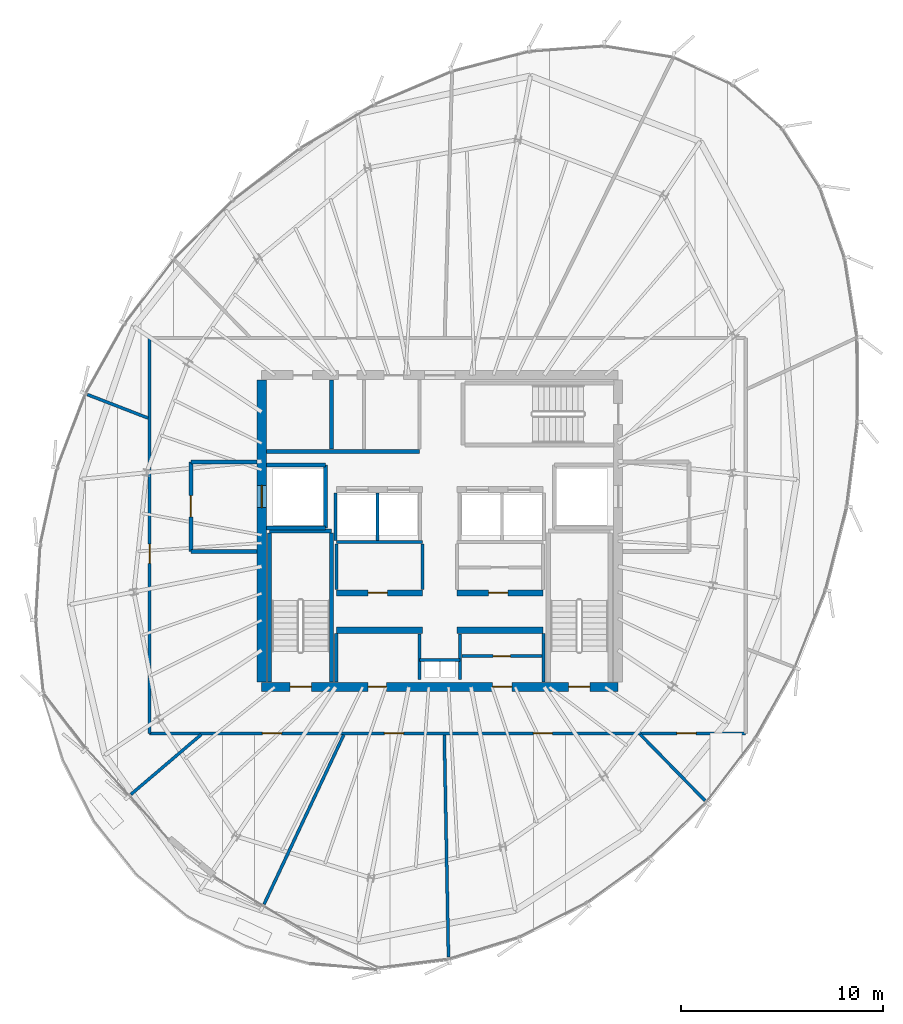
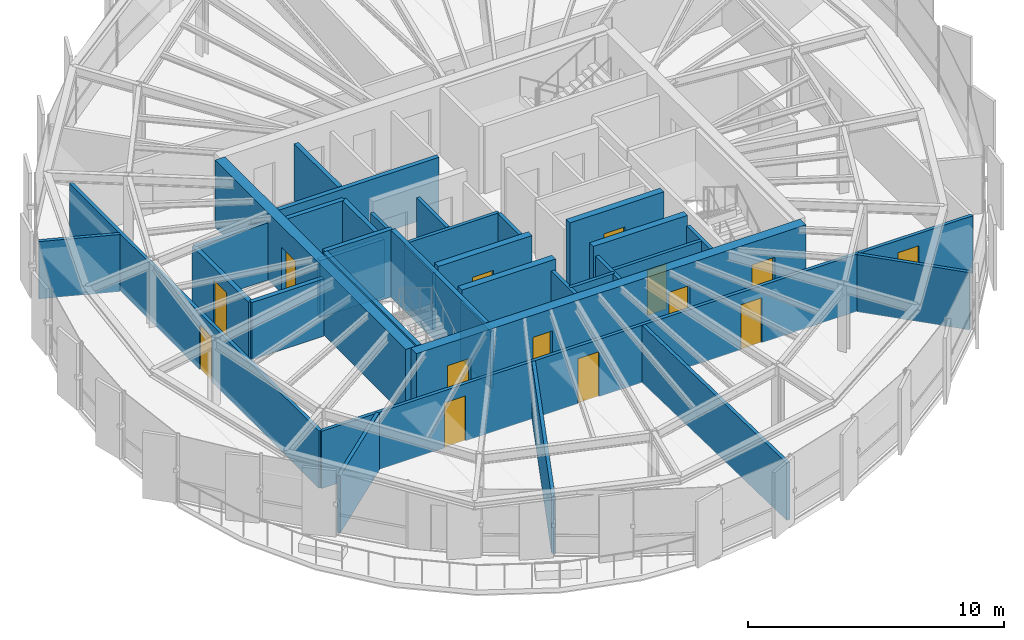
# One storey, part 27 of 34: 35 walls, 14 doors, 14 openings.
"""IFC4 building model written with IfcOpenShell, lengths in metres."""

from ifc_helpers import new_model, si_unit, direction, frame, frame_2d, origin, place, context, subcontext, project, spatial, rectangle, extrude, source, transform, mapped, material, layer, layer_set, type_object, element, fill, save


model = new_model("IFC4")

# Units and contexts
model_context = context("Model", 3, precision=1e-05, world=origin(), true_north=direction((0.0, 1.0)))
body_context = subcontext(model_context, "Body", "Model", "MODEL_VIEW")
ifc_project = project(units=[si_unit("LENGTHUNIT", "METRE"), si_unit("AREAUNIT", "SQUARE_METRE"), si_unit("VOLUMEUNIT", "CUBIC_METRE"), si_unit("PLANEANGLEUNIT", "RADIAN"), si_unit("MASSUNIT", "GRAM", prefix="KILO"), si_unit("THERMODYNAMICTEMPERATUREUNIT", "KELVIN")], contexts=[model_context])

# Site, building, storey
site_placement = place(None, origin())
site = spatial("IfcSite", under=ifc_project, at=site_placement, CompositionType="ELEMENT")
building_placement = place(site_placement, origin())
building = spatial("IfcBuilding", under=site, at=building_placement, Name="Kethvar Cultural Tower", CompositionType="ELEMENT")
storey_placement = place(building_placement, frame((0.0, 0.0, 262.89990234375)))
storey = spatial("IfcBuildingStorey", under=building, at=storey_placement, Name="L69", CompositionType="ELEMENT", Elevation=262.89990234375)

# Wall, openings, doors
ifc_material_1 = material(Name="Concrete C50/60", Category="concrete")
ifc_layer_1 = layer(ifc_material_1, 0.449951171875, Name="Concrete C50/60", Category="concrete")
ifc_layer_set_1 = layer_set([ifc_layer_1], Name="Concrete C50/60 (450 mm)")
wall_type_1 = type_object("IfcWallType", Name="WL-CORE-450", PredefinedType="SHEAR", material=ifc_layer_set_1)
wall_1_placement = place(storey_placement, frame((38.0, 20.10009765625, 0.0), z_axis=(0.0, 0.0, 1.0), x_axis=(1.0, 0.0, 0.0)))
wall_1 = element("IfcWall", 1, at=wall_1_placement, inside=storey, type_object=wall_type_1, Name="L69 Core Shear Wall S", PredefinedType="SHEAR", context=body_context, shape_type="SweptSolid", body=[
    extrude(rectangle(XDim=17.60009765625, YDim=0.449951171875, at=frame_2d((8.800048828125, 0.0))), origin(), (0.0, 0.0, 1.0), 3.210205078125),
])
opening_1_placement = place(wall_1_placement, frame((1.39990234375, 0.0, 0.0)))
opening_1 = element("IfcOpeningElement", 2, at=opening_1_placement, cuts=wall_1, Name="Opening D-L69-S1", PredefinedType="OPENING", context=body_context, shape_type="SweptSolid", body=[
    extrude(rectangle(XDim=1.050048828125, YDim=2.14990234375, at=frame_2d((0.52490234375, 1.074951171875))), frame((0.0, 0.23486328125, 0.0), z_axis=(0.0, -1.0, 0.0), x_axis=(1.0, 0.0, 0.0)), (0.0, 0.0, 1.0), 0.469970703125),
])
opening_2_placement = place(wall_1_placement, frame((15.14990234375, 0.0, 0.0)))
opening_2 = element("IfcOpeningElement", 3, at=opening_2_placement, cuts=wall_1, Name="Opening D-L69-ST2", PredefinedType="OPENING", context=body_context, shape_type="SweptSolid", body=[
    extrude(rectangle(XDim=1.050048828125, YDim=2.14990234375, at=frame_2d((0.52490234375, 1.074951171875))), frame((0.0, 0.23486328125, 0.0), z_axis=(0.0, -1.0, 0.0), x_axis=(1.0, 0.0, 0.0)), (0.0, 0.0, 1.0), 0.469970703125),
])
opening_3_placement = place(wall_1_placement, frame((5.25, 0.0, 0.0)))
opening_3 = element("IfcOpeningElement", 4, at=opening_3_placement, cuts=wall_1, Name="Opening D-L69-V1", PredefinedType="OPENING", context=body_context, shape_type="SweptSolid", body=[
    extrude(rectangle(XDim=0.89990234375, YDim=2.14990234375, at=frame_2d((0.449951171875, 1.074951171875))), frame((0.0, 0.23486328125, 0.0), z_axis=(0.0, -1.0, 0.0), x_axis=(1.0, 0.0, 0.0)), (0.0, 0.0, 1.0), 0.469970703125),
])
opening_4_placement = place(wall_1_placement, frame((11.39990234375, 0.0, 0.0)))
opening_4 = element("IfcOpeningElement", 5, at=opening_4_placement, cuts=wall_1, Name="Opening D-L69-V2", PredefinedType="OPENING", context=body_context, shape_type="SweptSolid", body=[
    extrude(rectangle(XDim=0.949951171875, YDim=2.14990234375, at=frame_2d((0.47509765625, 1.074951171875))), frame((0.0, 0.23486328125, 0.0), z_axis=(0.0, -1.0, 0.0), x_axis=(1.0, 0.0, 0.0)), (0.0, 0.0, 1.0), 0.469970703125),
])
ifc_material_2 = material(Name="Steel S355J2", Category="steel")
door_type_1 = type_object("IfcDoorType", Name="DR-FD60-1050", OperationType="NOTDEFINED", PredefinedType="DOOR", material=ifc_material_2)
shared_shape_1 = source(origin(), body_context, "Body", "SweptSolid", [
    extrude(rectangle(XDim=1.050048828125, YDim=2.14990234375, at=frame_2d((0.52490234375, 1.074951171875))), frame((0.0, 0.02490234375, 0.0), z_axis=(0.0, -1.0, 0.0), x_axis=(1.0, 0.0, 0.0)), (0.0, 0.0, 1.0), 0.050048828125),
])
door_1_placement = place(opening_1_placement, origin())
door_1 = element("IfcDoor", 6, at=door_1_placement, inside=storey, type_object=door_type_1, Name="L69 Exit Stair 1 Door", OperationType="SINGLE_SWING_LEFT", OverallHeight=2.14990234375, OverallWidth=1.050048828125, PredefinedType="DOOR", context=body_context, shape_type="MappedRepresentation", body=[
    mapped(shared_shape_1, transform((0.0, 0.0, 0.0), scale=1.0)),
])
fill(opening_1, door_1)
door_2_placement = place(opening_2_placement, origin())
door_2 = element("IfcDoor", 7, at=door_2_placement, inside=storey, type_object=door_type_1, Name="L69 Exit Stair 2 Door", OperationType="SINGLE_SWING_RIGHT", OverallHeight=2.14990234375, OverallWidth=1.050048828125, PredefinedType="DOOR", context=body_context, shape_type="MappedRepresentation", body=[
    mapped(shared_shape_1, transform((0.0, 0.0, 0.0), scale=1.0)),
])
fill(opening_2, door_2)
ifc_material_3 = material(Name="Architectural Oak Timber", Category="wood")
door_type_2 = type_object("IfcDoorType", Name="DR-FD30-950", OperationType="NOTDEFINED", PredefinedType="DOOR", material=ifc_material_3)
shared_shape_2 = source(origin(), body_context, "Body", "SweptSolid", [
    extrude(rectangle(XDim=0.949951171875, YDim=2.14990234375, at=frame_2d((0.47509765625, 1.074951171875))), frame((0.0, 0.02490234375, 0.0), z_axis=(0.0, -1.0, 0.0), x_axis=(1.0, 0.0, 0.0)), (0.0, 0.0, 1.0), 0.050048828125),
])
door_3_placement = place(opening_4_placement, origin())
door_3 = element("IfcDoor", 8, at=door_3_placement, inside=storey, type_object=door_type_2, Name="L69 Bindery Supply Door", OperationType="SINGLE_SWING_RIGHT", OverallHeight=2.14990234375, OverallWidth=0.949951171875, PredefinedType="DOOR", context=body_context, shape_type="MappedRepresentation", body=[
    mapped(shared_shape_2, transform((0.0, 0.0, 0.0), scale=1.0)),
])
fill(opening_4, door_3)
door_type_3 = type_object("IfcDoorType", Name="DR-FD30-900", OperationType="NOTDEFINED", PredefinedType="DOOR", material=ifc_material_3)
shared_shape_3 = source(origin(), body_context, "Body", "SweptSolid", [
    extrude(rectangle(XDim=0.89990234375, YDim=2.14990234375, at=frame_2d((0.449951171875, 1.074951171875))), frame((0.0, 0.02490234375, 0.0), z_axis=(0.0, -1.0, 0.0), x_axis=(1.0, 0.0, 0.0)), (0.0, 0.0, 1.0), 0.050048828125),
])
door_4_placement = place(opening_3_placement, origin())
door_4 = element("IfcDoor", 9, at=door_4_placement, inside=storey, type_object=door_type_3, Name="L69 Folio Vault Door", OperationType="SINGLE_SWING_LEFT", OverallHeight=2.14990234375, OverallWidth=0.89990234375, PredefinedType="DOOR", context=body_context, shape_type="MappedRepresentation", body=[
    mapped(shared_shape_3, transform((0.0, 0.0, 0.0), scale=1.0)),
])
fill(opening_3, door_4)

# Wall, opening, door
wall_2_placement = place(storey_placement, frame((38.0, 35.260009765625, 0.0), z_axis=(0.0, 0.0, 1.0), x_axis=(0.0, -1.0, 0.0)))
wall_2 = element("IfcWall", 10, at=wall_2_placement, inside=storey, type_object=wall_type_1, Name="L69 Core Shear Wall W", PredefinedType="SHEAR", context=body_context, shape_type="SweptSolid", body=[
    extrude(rectangle(XDim=14.919921875, YDim=0.449951171875, at=frame_2d((7.4599609375, 0.0))), origin(), (0.0, 0.0, 1.0), 3.210205078125),
])
opening_5_placement = place(wall_2_placement, frame((5.2099609375, 0.0, 0.0)))
opening_5 = element("IfcOpeningElement", 11, at=opening_5_placement, cuts=wall_2, Name="Opening LD-1", PredefinedType="OPENING", context=body_context, shape_type="SweptSolid", body=[
    extrude(rectangle(XDim=1.10009765625, YDim=2.199951171875, at=frame_2d((0.550048828125, 1.10009765625))), frame((0.0, 0.23486328125, 0.0), z_axis=(0.0, -1.0, 0.0), x_axis=(1.0, 0.0, 0.0)), (0.0, 0.0, 1.0), 0.469970703125),
])
door_type_4 = type_object("IfcDoorType", Name="DR-LIFT-SLIDE-1100", OperationType="NOTDEFINED", PredefinedType="DOOR", material=ifc_material_2)
shared_shape_4 = source(origin(), body_context, "Body", "SweptSolid", [
    extrude(rectangle(XDim=1.10009765625, YDim=2.199951171875, at=frame_2d((0.550048828125, 1.10009765625))), frame((0.0, 0.02490234375, 0.0), z_axis=(0.0, -1.0, 0.0), x_axis=(1.0, 0.0, 0.0)), (0.0, 0.0, 1.0), 0.050048828125),
])
door_5_placement = place(opening_5_placement, origin())
door_5 = element("IfcDoor", 12, at=door_5_placement, inside=storey, type_object=door_type_4, Name="L69 Firefighting Lift Landing Door FFL-01", OperationType="SLIDING_TO_LEFT", OverallHeight=2.199951171875, OverallWidth=1.10009765625, PredefinedType="DOOR", context=body_context, shape_type="MappedRepresentation", body=[
    mapped(shared_shape_4, transform((0.0, 0.0, 0.0), scale=1.0)),
])
fill(opening_5, door_5)

# Walls
ifc_material_4 = material(Name="Gypsum Fireboard Partition")
ifc_layer_2 = layer(ifc_material_4, 0.14990234375, Name="Gypsum Fireboard Partition")
ifc_layer_set_2 = layer_set([ifc_layer_2], Name="Gypsum Fireboard Partition (150 mm)")
wall_type_2 = type_object("IfcWallType", Name="WL-FIRE-150", PredefinedType="PARTITIONING", material=ifc_layer_set_2)
wall_3_placement = place(storey_placement, frame((45.800048828125, 21.419921875, 0.0), z_axis=(0.0, 0.0, 1.0), x_axis=(1.0, 0.0, 0.0)))
element("IfcWall", 13, at=wall_3_placement, inside=storey, type_object=wall_type_2, Name="L69 Core Riser Wall", PredefinedType="PARTITIONING", context=body_context, shape_type="SweptSolid", body=[
    extrude(rectangle(XDim=2.0, YDim=0.14990234375, at=frame_2d((1.0, 0.0))), origin(), (0.0, 0.0, 1.0), 2.735107421875),
])
for number, where, z_axis, x_axis, name in (
    (14, (45.800048828125, 20.47998046875, 0.0), (0.0, 0.0, 1.0), (0.0, 1.0, 0.0), "L69 Core Riser West Wall"),
    (15, (47.800048828125, 20.47998046875, 0.0), (0.0, 0.0, 1.0), (0.0, 1.0, 0.0), "L69 Core Riser East Wall"),
):
    element("IfcWall", number, at=place(storey_placement, frame(where, z_axis=z_axis, x_axis=x_axis)), inside=storey, type_object=wall_type_2, Name=name, PredefinedType="PARTITIONING", context=body_context, shape_type="SweptSolid", body=[
        extrude(rectangle(XDim=2.239990234375, YDim=0.14990234375, at=frame_2d((1.1201171875, 0.0))), origin(), (0.0, 0.0, 1.0), 2.735107421875),
    ])
for number, where, z_axis, x_axis, name in (
    (16, (41.679931640625, 20.3349609375, 0.0), (0.0, 0.0, 1.0), (0.0, 1.0, 0.0), "L69 Reclaimed West Outer Wall"),
    (17, (51.919921875, 20.3349609375, 0.0), (0.0, 0.0, 1.0), (0.0, 1.0, 0.0), "L69 Reclaimed East Outer Wall"),
):
    element("IfcWall", number, at=place(storey_placement, frame(where, z_axis=z_axis, x_axis=x_axis)), inside=storey, type_object=wall_type_2, Name=name, PredefinedType="PARTITIONING", context=body_context, shape_type="SweptSolid", body=[
        extrude(rectangle(XDim=2.39501953125, YDim=0.14990234375, at=frame_2d((1.197509765625, 0.0))), origin(), (0.0, 0.0, 1.0), 2.735107421875),
    ])

# Wall, opening, door
wall_4_placement = place(storey_placement, frame((47.8798828125, 21.6201171875, 0.0), z_axis=(0.0, 0.0, 1.0), x_axis=(1.0, 0.0, 0.0)))
wall_4 = element("IfcWall", 18, at=wall_4_placement, inside=storey, type_object=wall_type_2, Name="L69 Pantry Gallery Wall E", PredefinedType="PARTITIONING", context=body_context, shape_type="SweptSolid", body=[
    extrude(rectangle(XDim=3.960205078125, YDim=0.14990234375, at=frame_2d((1.97998046875, 0.0))), origin(), (0.0, 0.0, 1.0), 2.735107421875),
])
opening_6_placement = place(wall_4_placement, frame((1.550048828125, 0.0, 0.0)))
opening_6 = element("IfcOpeningElement", 19, at=opening_6_placement, cuts=wall_4, Name="Opening D-L69-V3", PredefinedType="OPENING", context=body_context, shape_type="SweptSolid", body=[
    extrude(rectangle(XDim=0.85009765625, YDim=2.14990234375, at=frame_2d((0.425048828125, 1.074951171875))), frame((0.0, 0.0849609375, 0.0), z_axis=(0.0, -1.0, 0.0), x_axis=(1.0, 0.0, 0.0)), (0.0, 0.0, 1.0), 0.169921875),
])
door_type_5 = type_object("IfcDoorType", Name="DR-FD30-850", OperationType="NOTDEFINED", PredefinedType="DOOR", material=ifc_material_2)
shared_shape_5 = source(origin(), body_context, "Body", "SweptSolid", [
    extrude(rectangle(XDim=0.85009765625, YDim=2.14990234375, at=frame_2d((0.425048828125, 1.074951171875))), frame((0.0, 0.02490234375, 0.0), z_axis=(0.0, -1.0, 0.0), x_axis=(1.0, 0.0, 0.0)), (0.0, 0.0, 1.0), 0.050048828125),
])
door_6_placement = place(opening_6_placement, origin())
door_6 = element("IfcDoor", 20, at=door_6_placement, inside=storey, type_object=door_type_5, Name="L69 Inner Pantry Gallery Door", OperationType="SINGLE_SWING_RIGHT", OverallHeight=2.14990234375, OverallWidth=0.85009765625, PredefinedType="DOOR", context=body_context, shape_type="MappedRepresentation", body=[
    mapped(shared_shape_5, transform((0.0, 0.0, 0.0), scale=1.0)),
])
fill(opening_6, door_6)

# Walls
wall_5_placement = place(storey_placement, frame((41.699951171875, 27.25, 0.0), z_axis=(0.0, 0.0, 1.0), x_axis=(1.0, 0.0, 0.0)))
element("IfcWall", 21, at=wall_5_placement, inside=storey, type_object=wall_type_2, Name="L69 Reclaimed Mid Wall W", PredefinedType="PARTITIONING", context=body_context, shape_type="SweptSolid", body=[
    extrude(rectangle(XDim=4.25, YDim=0.14990234375, at=frame_2d((2.125, 0.0))), origin(), (0.0, 0.0, 1.0), 2.735107421875),
])
for number, where, z_axis, x_axis, name in (
    (22, (41.699951171875, 24.919921875, 0.0), (0.0, 0.0, 1.0), (0.0, 1.0, 0.0), "L69 Reclaimed Mid Outer W"),
    (23, (45.949951171875, 24.919921875, 0.0), (0.0, 0.0, 1.0), (0.0, 1.0, 0.0), "L69 Reclaimed Mid Spine W"),
):
    element("IfcWall", number, at=place(storey_placement, frame(where, z_axis=z_axis, x_axis=x_axis)), inside=storey, type_object=wall_type_2, Name=name, PredefinedType="PARTITIONING", context=body_context, shape_type="SweptSolid", body=[
        extrude(rectangle(XDim=2.239990234375, YDim=0.14990234375, at=frame_2d((1.1201171875, 0.0))), origin(), (0.0, 0.0, 1.0), 2.735107421875),
    ])
for number, where, z_axis, x_axis, name in (
    (24, (41.64990234375, 27.340087890625, 0.0), (0.0, 0.0, 1.0), (0.0, 1.0, 0.0), "L69 High-Rise Lift Shaft Outer Wall W"),
    (25, (43.72509765625, 27.340087890625, 0.0), (0.0, 0.0, 1.0), (0.0, 1.0, 0.0), "L69 High-Rise Lift Shaft Divider W"),
):
    element("IfcWall", number, at=place(storey_placement, frame(where, z_axis=z_axis, x_axis=x_axis)), inside=storey, type_object=wall_type_2, Name=name, PredefinedType="PARTITIONING", context=body_context, shape_type="SweptSolid", body=[
        extrude(rectangle(XDim=2.33984375, YDim=0.14990234375, at=frame_2d((1.169921875, 0.0))), origin(), (0.0, 0.0, 1.0), 2.735107421875),
    ])

# Wall, openings, doors
wall_6_placement = place(storey_placement, frame((32.4599609375, 17.806884765625, 0.0), z_axis=(0.0, 0.0, 1.0), x_axis=(1.0, 0.0, 0.0)))
wall_6 = element("IfcWall", 26, at=wall_6_placement, inside=storey, type_object=wall_type_2, Name="L69 Corridor Rated Wall S", PredefinedType="PARTITIONING", context=body_context, shape_type="SweptSolid", body=[
    extrude(rectangle(XDim=29.442138671875, YDim=0.14990234375, at=frame_2d((14.72119140625, 0.0))), origin(), (0.0, 0.0, 1.0), 2.735107421875),
])
opening_7_placement = place(wall_6_placement, frame((5.5703125, 0.0, 0.0)))
opening_7 = element("IfcOpeningElement", 27, at=opening_7_placement, cuts=wall_6, Name="Opening D-L69-01", PredefinedType="OPENING", context=body_context, shape_type="SweptSolid", body=[
    extrude(rectangle(XDim=0.949951171875, YDim=2.14990234375, at=frame_2d((0.47509765625, 1.074951171875))), frame((0.0, 0.0849609375, 0.0), z_axis=(0.0, -1.0, 0.0), x_axis=(1.0, 0.0, 0.0)), (0.0, 0.0, 1.0), 0.169921875),
])
opening_8_placement = place(wall_6_placement, frame((11.59912109375, 0.0, 0.0)))
opening_8 = element("IfcOpeningElement", 28, at=opening_8_placement, cuts=wall_6, Name="Opening D-L69-02", PredefinedType="OPENING", context=body_context, shape_type="SweptSolid", body=[
    extrude(rectangle(XDim=0.949951171875, YDim=2.14990234375, at=frame_2d((0.47509765625, 1.074951171875))), frame((0.0, 0.0849609375, 0.0), z_axis=(0.0, -1.0, 0.0), x_axis=(1.0, 0.0, 0.0)), (0.0, 0.0, 1.0), 0.169921875),
])
opening_9_placement = place(wall_6_placement, frame((18.94873046875, 0.0, 0.0)))
opening_9 = element("IfcOpeningElement", 29, at=opening_9_placement, cuts=wall_6, Name="Opening D-L69-03", PredefinedType="OPENING", context=body_context, shape_type="SweptSolid", body=[
    extrude(rectangle(XDim=0.949951171875, YDim=2.14990234375, at=frame_2d((0.47509765625, 1.074951171875))), frame((0.0, 0.0849609375, 0.0), z_axis=(0.0, -1.0, 0.0), x_axis=(1.0, 0.0, 0.0)), (0.0, 0.0, 1.0), 0.169921875),
])
opening_10_placement = place(wall_6_placement, frame((26.04638671875, 0.0, 0.0)))
opening_10 = element("IfcOpeningElement", 30, at=opening_10_placement, cuts=wall_6, Name="Opening D-L69-04", PredefinedType="OPENING", context=body_context, shape_type="SweptSolid", body=[
    extrude(rectangle(XDim=0.949951171875, YDim=2.14990234375, at=frame_2d((0.47509765625, 1.074951171875))), frame((0.0, 0.0849609375, 0.0), z_axis=(0.0, -1.0, 0.0), x_axis=(1.0, 0.0, 0.0)), (0.0, 0.0, 1.0), 0.169921875),
])
door_7_placement = place(opening_7_placement, origin())
door_7 = element("IfcDoor", 31, at=door_7_placement, inside=storey, type_object=door_type_2, Name="L69 Foundation Executive Office 01 Door", OperationType="SINGLE_SWING_RIGHT", OverallHeight=2.14990234375, OverallWidth=0.949951171875, PredefinedType="DOOR", context=body_context, shape_type="MappedRepresentation", body=[
    mapped(shared_shape_2, transform((0.0, 0.0, 0.0), scale=1.0)),
])
fill(opening_7, door_7)
door_8_placement = place(opening_8_placement, origin())
door_8 = element("IfcDoor", 32, at=door_8_placement, inside=storey, type_object=door_type_2, Name="L69 Curatorial Research Office 02 Door", OperationType="SINGLE_SWING_LEFT", OverallHeight=2.14990234375, OverallWidth=0.949951171875, PredefinedType="DOOR", context=body_context, shape_type="MappedRepresentation", body=[
    mapped(shared_shape_2, transform((0.0, 0.0, 0.0), scale=1.0)),
])
fill(opening_8, door_8)
door_9_placement = place(opening_9_placement, origin())
door_9 = element("IfcDoor", 33, at=door_9_placement, inside=storey, type_object=door_type_2, Name="L69 Members' Dining Lounge 03 Door", OperationType="SINGLE_SWING_RIGHT", OverallHeight=2.14990234375, OverallWidth=0.949951171875, PredefinedType="DOOR", context=body_context, shape_type="MappedRepresentation", body=[
    mapped(shared_shape_2, transform((0.0, 0.0, 0.0), scale=1.0)),
])
fill(opening_9, door_9)
door_10_placement = place(opening_10_placement, origin())
door_10 = element("IfcDoor", 34, at=door_10_placement, inside=storey, type_object=door_type_2, Name="L69 Researchers' Study Lounge 04 Door", OperationType="SINGLE_SWING_LEFT", OverallHeight=2.14990234375, OverallWidth=0.949951171875, PredefinedType="DOOR", context=body_context, shape_type="MappedRepresentation", body=[
    mapped(shared_shape_2, transform((0.0, 0.0, 0.0), scale=1.0)),
])
fill(opening_10, door_10)

# Wall, opening, door
wall_7_placement = place(storey_placement, frame((32.4599609375, 37.3310546875, 0.0), z_axis=(0.0, 0.0, 1.0), x_axis=(0.0, -1.0, 0.0)))
wall_7 = element("IfcWall", 35, at=wall_7_placement, inside=storey, type_object=wall_type_2, Name="L69 Corridor Rated Wall W", PredefinedType="PARTITIONING", context=body_context, shape_type="SweptSolid", body=[
    extrude(rectangle(XDim=19.524169921875, YDim=0.14990234375, at=frame_2d((9.76220703125, 0.0))), origin(), (0.0, 0.0, 1.0), 2.735107421875),
])
opening_11_placement = place(wall_7_placement, frame((10.177001953125, 0.0, 0.0)))
opening_11 = element("IfcOpeningElement", 36, at=opening_11_placement, cuts=wall_7, Name="Opening D-L69-10", PredefinedType="OPENING", context=body_context, shape_type="SweptSolid", body=[
    extrude(rectangle(XDim=0.949951171875, YDim=2.14990234375, at=frame_2d((0.47509765625, 1.074951171875))), frame((0.0, 0.0849609375, 0.0), z_axis=(0.0, -1.0, 0.0), x_axis=(1.0, 0.0, 0.0)), (0.0, 0.0, 1.0), 0.169921875),
])
door_11_placement = place(opening_11_placement, origin())
door_11 = element("IfcDoor", 37, at=door_11_placement, inside=storey, type_object=door_type_2, Name="L69 Ceramics Craft Workshop 10 Door", OperationType="SINGLE_SWING_LEFT", OverallHeight=2.14990234375, OverallWidth=0.949951171875, PredefinedType="DOOR", context=body_context, shape_type="MappedRepresentation", body=[
    mapped(shared_shape_2, transform((0.0, 0.0, 0.0), scale=1.0)),
])
fill(opening_11, door_11)

# Walls
ifc_material_5 = material(Name="Concrete C40/50", Category="concrete")
ifc_layer_3 = layer(ifc_material_5, 0.199951171875, Name="Concrete C40/50", Category="concrete")
ifc_layer_set_3 = layer_set([ifc_layer_3], Name="Concrete C40/50 (200 mm)")
wall_type_3 = type_object("IfcWallType", Name="WL-FIRE-200", PredefinedType="PARTITIONING", material=ifc_layer_set_3)
wall_8_placement = place(storey_placement, frame((41.14990234375, 27.949951171875, 0.0), z_axis=(0.0, 0.0, 1.0), x_axis=(0.0, 1.0, 0.0)))
element("IfcWall", 38, at=wall_8_placement, inside=storey, type_object=wall_type_3, Name="L69 FFL-01 Shaft Inner Wall", PredefinedType="PARTITIONING", context=body_context, shape_type="SweptSolid", body=[
    extrude(rectangle(XDim=3.10009765625, YDim=0.199951171875, at=frame_2d((1.550048828125, 0.0))), origin(), (0.0, 0.0, 1.0), 2.735107421875),
])
for number, where, z_axis, x_axis, name in (
    (39, (38.235107421875, 27.949951171875, 0.0), (0.0, 0.0, 1.0), (1.0, 0.0, 0.0), "L69 FFL-01 Shaft South Wall"),
    (40, (38.235107421875, 31.050048828125, 0.0), (0.0, 0.0, 1.0), (1.0, 0.0, 0.0), "L69 FFL-01 Shaft North Wall"),
):
    element("IfcWall", number, at=place(storey_placement, frame(where, z_axis=z_axis, x_axis=x_axis)), inside=storey, type_object=wall_type_3, Name=name, PredefinedType="PARTITIONING", context=body_context, shape_type="SweptSolid", body=[
        extrude(rectangle(XDim=2.914794921875, YDim=0.199951171875, at=frame_2d((1.45751953125, 0.0))), origin(), (0.0, 0.0, 1.0), 2.735107421875),
    ])

# Wall, opening, door
wall_9_placement = place(storey_placement, frame((34.5, 31.199951171875, 0.0), z_axis=(0.0, 0.0, 1.0), x_axis=(0.0, -1.0, 0.0)))
wall_9 = element("IfcWall", 41, at=wall_9_placement, inside=storey, type_object=wall_type_3, Name="L69 Firefighting Lobby 1 Wall", PredefinedType="PARTITIONING", context=body_context, shape_type="SweptSolid", body=[
    extrude(rectangle(XDim=4.39990234375, YDim=0.199951171875, at=frame_2d((2.199951171875, 0.0))), origin(), (0.0, 0.0, 1.0), 2.735107421875),
])
opening_12_placement = place(wall_9_placement, frame((1.64990234375, 0.0, 0.0)))
opening_12 = element("IfcOpeningElement", 42, at=opening_12_placement, cuts=wall_9, Name="Opening D-L69-F1", PredefinedType="OPENING", context=body_context, shape_type="SweptSolid", body=[
    extrude(rectangle(XDim=1.050048828125, YDim=2.14990234375, at=frame_2d((0.52490234375, 1.074951171875))), frame((0.0, 0.10986328125, 0.0), z_axis=(0.0, -1.0, 0.0), x_axis=(1.0, 0.0, 0.0)), (0.0, 0.0, 1.0), 0.219970703125),
])
door_12_placement = place(opening_12_placement, origin())
door_12 = element("IfcDoor", 43, at=door_12_placement, inside=storey, type_object=door_type_1, Name="L69 Firefighting Lobby 1 Fire Door", OperationType="SINGLE_SWING_LEFT", OverallHeight=2.14990234375, OverallWidth=1.050048828125, PredefinedType="DOOR", context=body_context, shape_type="MappedRepresentation", body=[
    mapped(shared_shape_1, transform((0.0, 0.0, 0.0), scale=1.0)),
])
fill(opening_12, door_12)

# Walls
for number, where, z_axis, x_axis, name in (
    (44, (34.5, 26.800048828125, 0.0), (0.0, 0.0, 1.0), (1.0, 0.0, 0.0), "L69 FF Lobby 1 South Wall"),
    (45, (34.5, 31.199951171875, 0.0), (0.0, 0.0, 1.0), (1.0, 0.0, 0.0), "L69 FF Lobby 1 North Wall"),
):
    element("IfcWall", number, at=place(storey_placement, frame(where, z_axis=z_axis, x_axis=x_axis)), inside=storey, type_object=wall_type_3, Name=name, PredefinedType="PARTITIONING", context=body_context, shape_type="SweptSolid", body=[
        extrude(rectangle(XDim=3.264892578125, YDim=0.199951171875, at=frame_2d((1.63232421875, 0.0))), origin(), (0.0, 0.0, 1.0), 2.735107421875),
    ])
wall_10_placement = place(storey_placement, frame((41.449951171875, 31.85009765625, 0.0), z_axis=(0.0, 0.0, 1.0), x_axis=(0.0, 1.0, 0.0)))
element("IfcWall", 46, at=wall_10_placement, inside=storey, type_object=wall_type_3, Name="L69 NW Core Pocket Wall", PredefinedType="PARTITIONING", context=body_context, shape_type="SweptSolid", body=[
    extrude(rectangle(XDim=3.414794921875, YDim=0.199951171875, at=frame_2d((1.70751953125, 0.0))), origin(), (0.0, 0.0, 1.0), 2.735107421875),
])
wall_11_placement = place(storey_placement, frame((38.235107421875, 31.72998046875, 0.0), z_axis=(0.0, 0.0, 1.0), x_axis=(1.0, 0.0, 0.0)))
element("IfcWall", 47, at=wall_11_placement, inside=storey, type_object=wall_type_3, Name="L69 North Core Sanitary South Wall", PredefinedType="PARTITIONING", context=body_context, shape_type="SweptSolid", body=[
    extrude(rectangle(XDim=7.56494140625, YDim=0.199951171875, at=frame_2d((3.782470703125, 0.0))), origin(), (0.0, 0.0, 1.0), 2.735107421875),
])
ifc_material_6 = material(Name="Gypsum Acoustic Partition")
ifc_layer_4 = layer(ifc_material_6, 0.14990234375, Name="Gypsum Acoustic Partition")
ifc_layer_set_4 = layer_set([ifc_layer_4], Name="Gypsum Acoustic Partition (150 mm)")
wall_type_4 = type_object("IfcWallType", Name="WL-PART-150", PredefinedType="PARTITIONING", material=ifc_layer_set_4)
wall_12_placement = place(storey_placement, frame((35.01708984375, 17.755126953125, 0.0), z_axis=(0.0, 0.0, 1.0), x_axis=(-0.761320429179, -0.648375820118, 0.0)))
element("IfcWall", 48, at=wall_12_placement, inside=storey, type_object=wall_type_4, Name="L69 Radial Partition Wall 01", PredefinedType="PARTITIONING", context=body_context, shape_type="SweptSolid", body=[
    extrude(rectangle(XDim=4.5673828125, YDim=0.14990234375, at=frame_2d((2.28369140625, 0.0))), origin(), (0.0, 0.0, 1.0), 2.735107421875),
])
wall_13_placement = place(storey_placement, frame((42.05029296875, 17.734619140625, 0.0), z_axis=(0.0, 0.0, 1.0), x_axis=(-0.42575507984, -0.904838445243, 0.0)))
element("IfcWall", 49, at=wall_13_placement, inside=storey, type_object=wall_type_4, Name="L69 Radial Partition Wall 02", PredefinedType="PARTITIONING", context=body_context, shape_type="SweptSolid", body=[
    extrude(rectangle(XDim=9.247802734375, YDim=0.14990234375, at=frame_2d((4.6240234375, 0.0))), origin(), (0.0, 0.0, 1.0), 2.735107421875),
])
wall_14_placement = place(storey_placement, frame((47.014892578125, 17.72705078125, 0.0), z_axis=(0.0, 0.0, 1.0), x_axis=(0.018840233675, -0.999822507046, 0.0)))
element("IfcWall", 50, at=wall_14_placement, inside=storey, type_object=wall_type_4, Name="L69 Radial Partition Wall 03", PredefinedType="PARTITIONING", context=body_context, shape_type="SweptSolid", body=[
    extrude(rectangle(XDim=10.975830078125, YDim=0.14990234375, at=frame_2d((5.48779296875, 0.0))), origin(), (0.0, 0.0, 1.0), 2.735107421875),
])
wall_15_placement = place(storey_placement, frame((56.697021484375, 17.749755859375, 0.0), z_axis=(0.0, 0.0, 1.0), x_axis=(0.699583858336, -0.714550505672, 0.0)))
element("IfcWall", 51, at=wall_15_placement, inside=storey, type_object=wall_type_4, Name="L69 Radial Partition Wall 04", PredefinedType="PARTITIONING", context=body_context, shape_type="SweptSolid", body=[
    extrude(rectangle(XDim=4.5673828125, YDim=0.14990234375, at=frame_2d((2.28369140625, 0.0))), origin(), (0.0, 0.0, 1.0), 2.735107421875),
])
wall_16_placement = place(storey_placement, frame((32.385498046875, 33.3798828125, 0.0), z_axis=(0.0, 0.0, 1.0), x_axis=(-0.932530982882, 0.361089969349, 0.0)))
element("IfcWall", 52, at=wall_16_placement, inside=storey, type_object=wall_type_4, Name="L69 Radial Partition Wall 10", PredefinedType="PARTITIONING", context=body_context, shape_type="SweptSolid", body=[
    extrude(rectangle(XDim=3.21484375, YDim=0.14990234375, at=frame_2d((1.607421875, 0.0))), origin(), (0.0, 0.0, 1.0), 2.735107421875),
])
ifc_layer_5 = layer(ifc_material_1, 0.300048828125, Name="Concrete C50/60", Category="concrete")
ifc_layer_set_5 = layer_set([ifc_layer_5], Name="Concrete C50/60 (300 mm)")
wall_type_5 = type_object("IfcWallType", Name="WL-SHAFT-300", PredefinedType="SHEAR", material=ifc_layer_set_5)
for number, where, z_axis, x_axis, name in (
    (53, (41.699951171875, 22.89990234375, 0.0), (0.0, 0.0, 1.0), (1.0, 0.0, 0.0), "L69 Core Lift Spine Wall MID1W"),
    (54, (47.64990234375, 22.89990234375, 0.0), (0.0, 0.0, 1.0), (1.0, 0.0, 0.0), "L69 Core Lift Spine Wall MID1E"),
):
    element("IfcWall", number, at=place(storey_placement, frame(where, z_axis=z_axis, x_axis=x_axis)), inside=storey, type_object=wall_type_5, Name=name, PredefinedType="SHEAR", context=body_context, shape_type="SweptSolid", body=[
        extrude(rectangle(XDim=4.25, YDim=0.300048828125, at=frame_2d((2.125, 0.0))), origin(), (0.0, 0.0, 1.0), 3.210205078125),
    ])

# Wall, opening, door
wall_17_placement = place(storey_placement, frame((41.699951171875, 24.75, 0.0), z_axis=(0.0, 0.0, 1.0), x_axis=(1.0, 0.0, 0.0)))
wall_17 = element("IfcWall", 55, at=wall_17_placement, inside=storey, type_object=wall_type_5, Name="L69 Core Lift Spine Wall MID2W", PredefinedType="SHEAR", context=body_context, shape_type="SweptSolid", body=[
    extrude(rectangle(XDim=4.25, YDim=0.300048828125, at=frame_2d((2.125, 0.0))), origin(), (0.0, 0.0, 1.0), 3.210205078125),
])
opening_13_placement = place(wall_17_placement, frame((1.550048828125, 0.0, 0.0)))
opening_13 = element("IfcOpeningElement", 56, at=opening_13_placement, cuts=wall_17, Name="Opening D-L69-M1", PredefinedType="OPENING", context=body_context, shape_type="SweptSolid", body=[
    extrude(rectangle(XDim=0.949951171875, YDim=2.14990234375, at=frame_2d((0.47509765625, 1.074951171875))), frame((0.0, 0.159912109375, 0.0), z_axis=(0.0, -1.0, 0.0), x_axis=(1.0, 0.0, 0.0)), (0.0, 0.0, 1.0), 0.320068359375),
])
door_13_placement = place(opening_13_placement, origin())
door_13 = element("IfcDoor", 57, at=door_13_placement, inside=storey, type_object=door_type_2, Name="L69 Broadcast Rack Door", OperationType="SINGLE_SWING_LEFT", OverallHeight=2.14990234375, OverallWidth=0.949951171875, PredefinedType="DOOR", context=body_context, shape_type="MappedRepresentation", body=[
    mapped(shared_shape_2, transform((0.0, 0.0, 0.0), scale=1.0)),
])
fill(opening_13, door_13)

wall_18_placement = place(storey_placement, frame((47.64990234375, 24.75, 0.0), z_axis=(0.0, 0.0, 1.0), x_axis=(1.0, 0.0, 0.0)))
wall_18 = element("IfcWall", 58, at=wall_18_placement, inside=storey, type_object=wall_type_5, Name="L69 Core Lift Spine Wall MID2E", PredefinedType="SHEAR", context=body_context, shape_type="SweptSolid", body=[
    extrude(rectangle(XDim=4.25, YDim=0.300048828125, at=frame_2d((2.125, 0.0))), origin(), (0.0, 0.0, 1.0), 3.210205078125),
])
opening_14_placement = place(wall_18_placement, frame((1.550048828125, 0.0, 0.0)))
opening_14 = element("IfcOpeningElement", 59, at=opening_14_placement, cuts=wall_18, Name="Opening D-L69-M2", PredefinedType="OPENING", context=body_context, shape_type="SweptSolid", body=[
    extrude(rectangle(XDim=0.949951171875, YDim=2.14990234375, at=frame_2d((0.47509765625, 1.074951171875))), frame((0.0, 0.159912109375, 0.0), z_axis=(0.0, -1.0, 0.0), x_axis=(1.0, 0.0, 0.0)), (0.0, 0.0, 1.0), 0.320068359375),
])
door_14_placement = place(opening_14_placement, origin())
door_14 = element("IfcDoor", 60, at=door_14_placement, inside=storey, type_object=door_type_2, Name="L69 UPS Closet Door", OperationType="SINGLE_SWING_RIGHT", OverallHeight=2.14990234375, OverallWidth=0.949951171875, PredefinedType="DOOR", context=body_context, shape_type="MappedRepresentation", body=[
    mapped(shared_shape_2, transform((0.0, 0.0, 0.0), scale=1.0)),
])
fill(opening_14, door_14)

# Walls
ifc_layer_6 = layer(ifc_material_1, 0.199951171875, Name="Concrete C50/60", Category="concrete")
ifc_layer_set_6 = layer_set([ifc_layer_6], Name="Concrete C50/60 (200 mm)")
wall_type_6 = type_object("IfcWallType", Name="WL-STSHAFT-200", PredefinedType="SHEAR", material=ifc_layer_set_6)
wall_19_placement = place(storey_placement, frame((38.389892578125, 27.800048828125, 0.0), z_axis=(0.0, 0.0, 1.0), x_axis=(1.0, 0.0, 0.0)))
element("IfcWall", 61, at=wall_19_placement, inside=storey, type_object=wall_type_6, Name="L69 ST-01 Stair Shaft Wall FAR", PredefinedType="SHEAR", context=body_context, shape_type="SweptSolid", body=[
    extrude(rectangle(XDim=3.06005859375, YDim=0.199951171875, at=frame_2d((1.530029296875, 0.0))), origin(), (0.0, 0.0, 1.0), 3.210205078125),
])
for number, where, z_axis, x_axis, name in (
    (62, (41.449951171875, 27.699951171875, 0.0), (0.0, 0.0, 1.0), (0.0, -1.0, 0.0), "L69 ST-01 Stair Shaft Wall LEFT"),
    (63, (38.389892578125, 20.35009765625, 0.0), (0.0, 0.0, 1.0), (0.0, 1.0, 0.0), "L69 ST-01 Stair Shaft Wall RIGHT"),
):
    element("IfcWall", number, at=place(storey_placement, frame(where, z_axis=z_axis, x_axis=x_axis)), inside=storey, type_object=wall_type_6, Name=name, PredefinedType="SHEAR", context=body_context, shape_type="SweptSolid", body=[
        extrude(rectangle(XDim=7.349853515625, YDim=0.199951171875, at=frame_2d((3.6748046875, 0.0))), origin(), (0.0, 0.0, 1.0), 3.210205078125),
    ])

save(model, "model.ifc")
